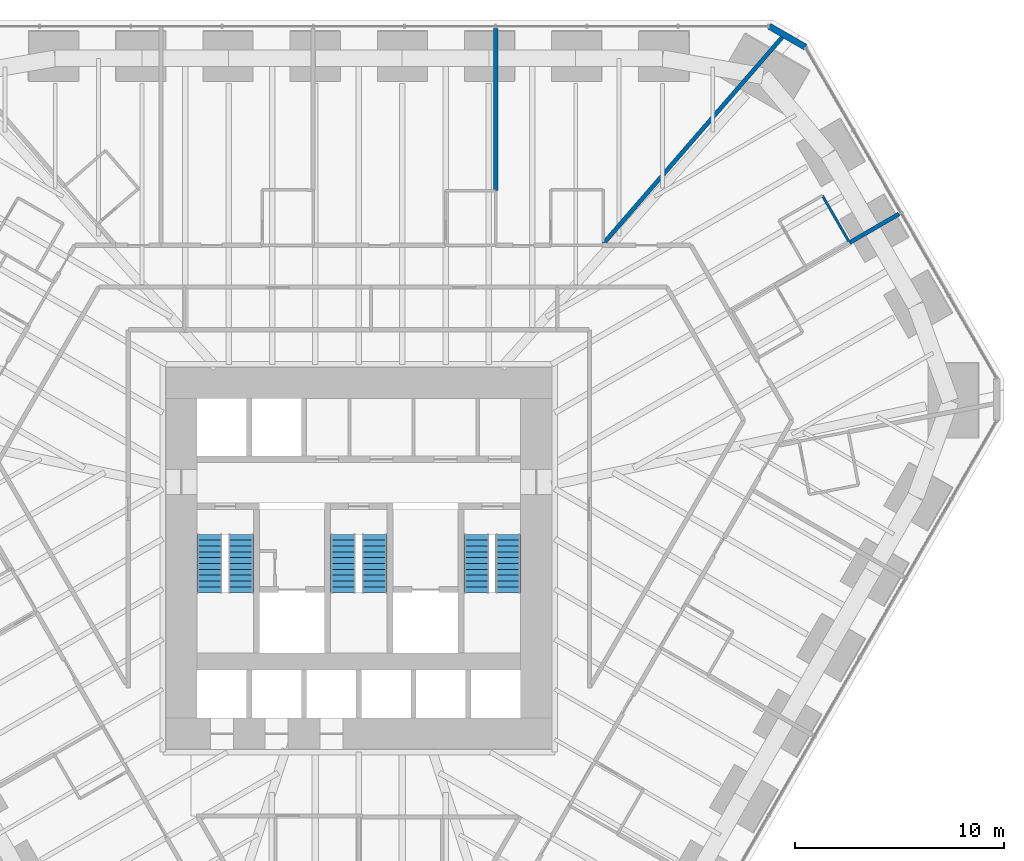
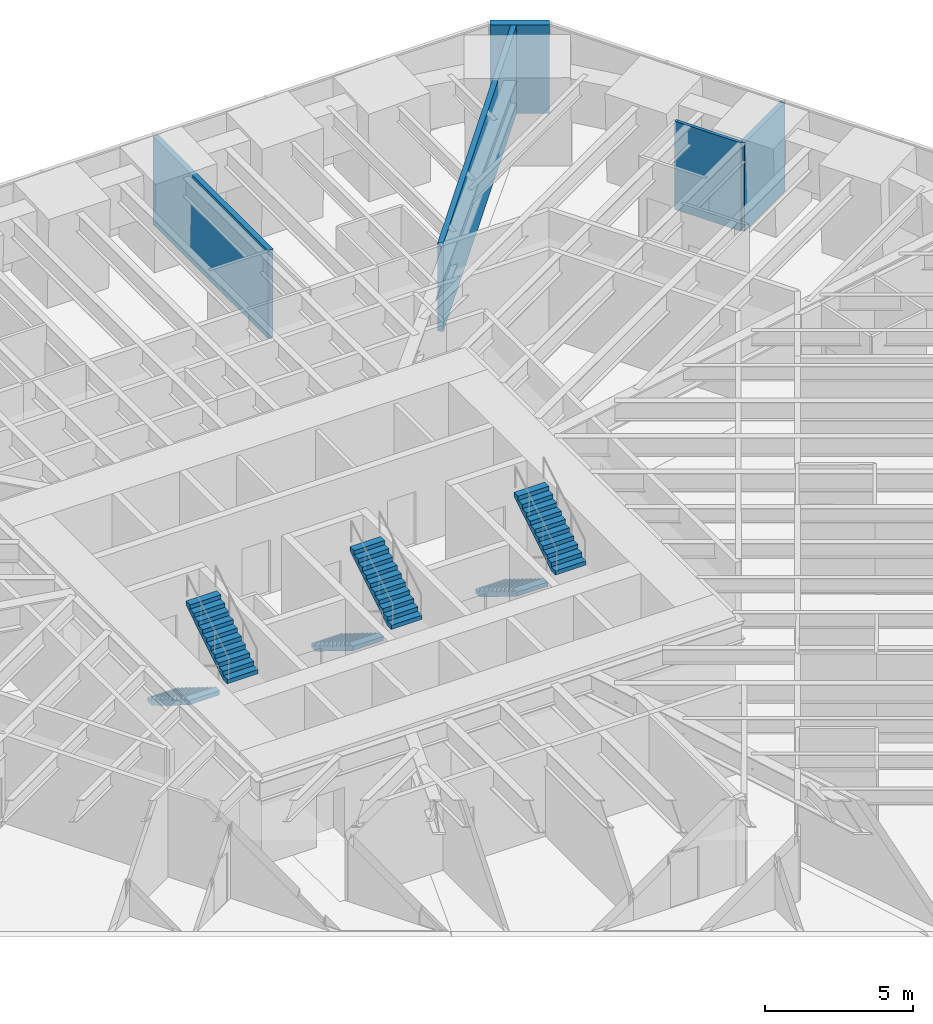
# One storey, part 16 of 17: 6 stair flights, 5 walls, 3 elements without a shape of their own.
"""IFC4 building model written with IfcOpenShell, lengths in metres."""

from ifc_helpers import new_model, si_unit, direction, frame, frame_2d, origin, place, context, subcontext, project, spatial, polyline, rectangle, outline, extrude, material, layer, layer_set, type_object, element, aggregate, save


model = new_model("IFC4")

# Units and contexts
model_context = context("Model", 3, precision=1e-05, world=origin(), true_north=direction((0.0, 1.0)))
body_context = subcontext(model_context, "Body", "Model", "MODEL_VIEW")
ifc_project = project(units=[si_unit("LENGTHUNIT", "METRE"), si_unit("AREAUNIT", "SQUARE_METRE"), si_unit("VOLUMEUNIT", "CUBIC_METRE"), si_unit("PLANEANGLEUNIT", "RADIAN"), si_unit("MASSUNIT", "GRAM", prefix="KILO")], contexts=[model_context])

# Site, building, storey
site_placement = place(None, origin())
site = spatial("IfcSite", under=ifc_project, at=site_placement, CompositionType="ELEMENT")
building_placement = place(site_placement, origin())
building = spatial("IfcBuilding", under=site, at=building_placement, Name="Sandreach Pilgrim Tower", CompositionType="ELEMENT")
storey_placement = place(building_placement, frame((0.0, 0.0, 61.0)))
storey = spatial("IfcBuildingStorey", under=building, at=storey_placement, Name="L14", CompositionType="ELEMENT", Elevation=61.0)

# Walls
ifc_material_1 = material(Name="Moisture-resistant gypsum board on steel studs", Category="steel")
ifc_layer_1 = layer(ifc_material_1, 0.1201171875)
ifc_layer_set_1 = layer_set([ifc_layer_1], Name="Bathroom partition 120")
wall_type_1 = type_object("IfcWallType", Name="Bathroom partition 120", PredefinedType="PARTITIONING", material=ifc_layer_set_1)
wall_1_placement = place(storey_placement, frame((23.52001953125, 13.580078125, 0.0), z_axis=(0.0, 0.0, 1.0), x_axis=(-0.500291685314, 0.865856933682, 0.0)))
element("IfcWall", 1, at=wall_1_placement, inside=storey, type_object=wall_type_1, Name="Bathroom partition L14-162", PredefinedType="PARTITIONING", context=body_context, shape_type="SweptSolid", body=[
    extrude(rectangle(XDim=2.5986328125, YDim=0.1201171875, at=frame_2d((1.29931640625, 0.0))), origin(), (0.0, 0.0, 1.0), 3.639892578125),
])
ifc_material_2 = material(Name="Double steel stud acoustic wall, gypsum board", Category="steel")
ifc_layer_2 = layer(ifc_material_2, 0.199951171875)
ifc_layer_set_2 = layer_set([ifc_layer_2], Name="Party wall 200")
wall_type_2 = type_object("IfcWallType", Name="Party wall 200", PredefinedType="PARTITIONING", material=ifc_layer_set_2)
wall_2_placement = place(storey_placement, frame((6.56005859375, 23.830078125, 0.0), z_axis=(0.0, 0.0, 1.0), x_axis=(0.0, -1.0, 0.0)))
element("IfcWall", 2, at=wall_2_placement, inside=storey, type_object=wall_type_2, Name="Party wall L14-107", PredefinedType="PARTITIONING", context=body_context, shape_type="SweptSolid", body=[
    extrude(rectangle(XDim=7.760009765625, YDim=0.199951171875, at=frame_2d((3.8798828125, 0.0))), origin(), (0.0, 0.0, 1.0), 3.639892578125),
])
wall_3_placement = place(storey_placement, frame((11.72509765625, 13.536865234375, 0.0), z_axis=(0.0, 0.0, 1.0), x_axis=(0.654910189761, 0.755706717813, 0.0)))
element("IfcWall", 3, at=wall_3_placement, inside=storey, type_object=wall_type_2, Name="Party wall L14-131", PredefinedType="PARTITIONING", context=body_context, shape_type="SweptSolid", body=[
    extrude(rectangle(XDim=13.24658203125, YDim=0.199951171875, at=frame_2d((6.623291015625, 0.0))), origin(), (0.0, 0.0, 1.0), 3.639892578125),
])
wall_4_placement = place(storey_placement, frame((23.52001953125, 13.580078125, 0.0), z_axis=(0.0, 0.0, 1.0), x_axis=(0.865432398871, 0.501025710902, 0.0)))
element("IfcWall", 4, at=wall_4_placement, inside=storey, type_object=wall_type_2, Name="Party wall L14-163", PredefinedType="PARTITIONING", context=body_context, shape_type="SweptSolid", body=[
    extrude(rectangle(XDim=2.734130859375, YDim=0.199951171875, at=frame_2d((1.3671875, 0.0))), origin(), (0.0, 0.0, 1.0), 3.639892578125),
])
ifc_material_3 = material(Name="Terracotta rainscreen on concrete", Category="masonry")
ifc_layer_3 = layer(ifc_material_3, 0.300048828125)
ifc_layer_set_3 = layer_set([ifc_layer_3], Name="Terracotta chamfer pier")
wall_type_3 = type_object("IfcWallType", Name="Terracotta chamfer pier", PredefinedType="SOLIDWALL", material=ifc_layer_set_3)
wall_5_placement = place(storey_placement, frame((19.672119140625, 23.94873046875, 0.0), z_axis=(0.0, 0.0, 1.0), x_axis=(0.866010750942, -0.50002537861, 0.0)))
element("IfcWall", 5, at=wall_5_placement, inside=storey, type_object=wall_type_3, Name="Chamfer pier L14 N", PredefinedType="SOLIDWALL", context=body_context, shape_type="SweptSolid", body=[
    extrude(rectangle(XDim=2.0, YDim=0.300048828125, at=frame_2d((1.0, 0.0))), origin(), (0.0, 0.0, 1.0), 3.639892578125),
])

# Stair, stair flights
ifc_material_4 = material(Name="Concrete 8000 psi", Category="concrete")
stair_type = type_object("IfcStairType", Name="Core exit stair", PredefinedType="HALF_TURN_STAIR", material=ifc_material_4)
stair_1_placement = place(storey_placement, origin())
stair_1 = element("IfcStair", 6, at=stair_1_placement, inside=storey, type_object=stair_type, Name="Exit stair ST1 L14", PredefinedType="HALF_TURN_STAIR")
ifc_material_5 = material(Name="Concrete 8000 psi", Category="concrete")
stair_flight_type = type_object("IfcStairFlightType", Name="Core stair flight 1200", PredefinedType="STRAIGHT", material=ifc_material_5)
stair_flight_1_placement = place(storey_placement, frame((-7.14990234375, -0.39990234375, 0.0), z_axis=(0.0, 0.0, 1.0), x_axis=(0.0, -1.0, 0.0)))
stair_flight_1 = element("IfcStairFlight", 7, at=stair_flight_1_placement, type_object=stair_flight_type, Name="ST1 flight 1", NumberOfRisers=11, NumberOfTreads=10, PredefinedType="STRAIGHT", RiserHeight=0.172727273, TreadLength=0.28, context=body_context, shape_type="SweptSolid", body=[
    extrude(outline(polyline([(0.0, 0.0), (0.0, 0.172607421875), (0.280029296875, 0.172607421875), (0.280029296875, 0.345458984375), (0.56005859375, 0.345458984375), (0.56005859375, 0.51806640625), (0.840087890625, 0.51806640625), (0.840087890625, 0.69091796875), (1.1201171875, 0.69091796875), (1.1201171875, 0.863525390625), (1.39990234375, 0.863525390625), (1.39990234375, 1.036376953125), (1.679931640625, 1.036376953125), (1.679931640625, 1.208984375), (1.9599609375, 1.208984375), (1.9599609375, 1.3818359375), (2.239990234375, 1.3818359375), (2.239990234375, 1.554443359375), (2.52001953125, 1.554443359375), (2.52001953125, 1.727294921875), (2.800048828125, 1.727294921875), (2.800048828125, 1.89990234375), (2.800048828125, 1.551025390625), (0.285400390625, 0.0), (0.0, 0.0)])), frame((0.0, 0.60009765625, 0.0), z_axis=(0.0, -1.0, 0.0), x_axis=(1.0, 0.0, 0.0)), (0.0, 0.0, 1.0), 1.199951171875),
])
stair_flight_2_placement = place(storey_placement, frame((-5.64990234375, -3.199951171875, 1.89990234375), z_axis=(0.0, 0.0, 1.0), x_axis=(0.0, 1.0, 0.0)))
stair_flight_2 = element("IfcStairFlight", 8, at=stair_flight_2_placement, type_object=stair_flight_type, Name="ST1 flight 2", NumberOfRisers=11, NumberOfTreads=10, PredefinedType="STRAIGHT", RiserHeight=0.172727273, TreadLength=0.28, context=body_context, shape_type="SweptSolid", body=[
    extrude(outline(polyline([(0.0, 0.0), (0.0, 0.172607421875), (0.280029296875, 0.172607421875), (0.280029296875, 0.345458984375), (0.56005859375, 0.345458984375), (0.56005859375, 0.51806640625), (0.840087890625, 0.51806640625), (0.840087890625, 0.69091796875), (1.1201171875, 0.69091796875), (1.1201171875, 0.863525390625), (1.39990234375, 0.863525390625), (1.39990234375, 1.036376953125), (1.679931640625, 1.036376953125), (1.679931640625, 1.208984375), (1.9599609375, 1.208984375), (1.9599609375, 1.3818359375), (2.239990234375, 1.3818359375), (2.239990234375, 1.554443359375), (2.52001953125, 1.554443359375), (2.52001953125, 1.727294921875), (2.800048828125, 1.727294921875), (2.800048828125, 1.89990234375), (2.800048828125, 1.551025390625), (0.285400390625, 0.0), (0.0, 0.0)])), frame((0.0, 0.60009765625, 0.0), z_axis=(0.0, -1.0, 0.0), x_axis=(1.0, 0.0, 0.0)), (0.0, 0.0, 1.0), 1.199951171875),
])
aggregate(stair_1, [stair_flight_1, stair_flight_2])

stair_2_placement = place(storey_placement, origin())
stair_2 = element("IfcStair", 9, at=stair_2_placement, inside=storey, type_object=stair_type, Name="Exit stair ST3 L14", PredefinedType="HALF_TURN_STAIR")
stair_flight_3_placement = place(storey_placement, frame((-0.75, -0.39990234375, 0.0), z_axis=(0.0, 0.0, 1.0), x_axis=(0.0, -1.0, 0.0)))
stair_flight_3 = element("IfcStairFlight", 10, at=stair_flight_3_placement, type_object=stair_flight_type, Name="ST3 flight 1", NumberOfRisers=11, NumberOfTreads=10, PredefinedType="STRAIGHT", RiserHeight=0.172727273, TreadLength=0.28, context=body_context, shape_type="SweptSolid", body=[
    extrude(outline(polyline([(0.0, 0.0), (0.0, 0.172607421875), (0.280029296875, 0.172607421875), (0.280029296875, 0.345458984375), (0.56005859375, 0.345458984375), (0.56005859375, 0.51806640625), (0.840087890625, 0.51806640625), (0.840087890625, 0.69091796875), (1.1201171875, 0.69091796875), (1.1201171875, 0.863525390625), (1.39990234375, 0.863525390625), (1.39990234375, 1.036376953125), (1.679931640625, 1.036376953125), (1.679931640625, 1.208984375), (1.9599609375, 1.208984375), (1.9599609375, 1.3818359375), (2.239990234375, 1.3818359375), (2.239990234375, 1.554443359375), (2.52001953125, 1.554443359375), (2.52001953125, 1.727294921875), (2.800048828125, 1.727294921875), (2.800048828125, 1.89990234375), (2.800048828125, 1.551025390625), (0.285400390625, 0.0), (0.0, 0.0)])), frame((0.0, 0.60009765625, 0.0), z_axis=(0.0, -1.0, 0.0), x_axis=(1.0, 0.0, 0.0)), (0.0, 0.0, 1.0), 1.199951171875),
])
stair_flight_4_placement = place(storey_placement, frame((0.75, -3.199951171875, 1.89990234375), z_axis=(0.0, 0.0, 1.0), x_axis=(0.0, 1.0, 0.0)))
stair_flight_4 = element("IfcStairFlight", 11, at=stair_flight_4_placement, type_object=stair_flight_type, Name="ST3 flight 2", NumberOfRisers=11, NumberOfTreads=10, PredefinedType="STRAIGHT", RiserHeight=0.172727273, TreadLength=0.28, context=body_context, shape_type="SweptSolid", body=[
    extrude(outline(polyline([(0.0, 0.0), (0.0, 0.172607421875), (0.280029296875, 0.172607421875), (0.280029296875, 0.345458984375), (0.56005859375, 0.345458984375), (0.56005859375, 0.51806640625), (0.840087890625, 0.51806640625), (0.840087890625, 0.69091796875), (1.1201171875, 0.69091796875), (1.1201171875, 0.863525390625), (1.39990234375, 0.863525390625), (1.39990234375, 1.036376953125), (1.679931640625, 1.036376953125), (1.679931640625, 1.208984375), (1.9599609375, 1.208984375), (1.9599609375, 1.3818359375), (2.239990234375, 1.3818359375), (2.239990234375, 1.554443359375), (2.52001953125, 1.554443359375), (2.52001953125, 1.727294921875), (2.800048828125, 1.727294921875), (2.800048828125, 1.89990234375), (2.800048828125, 1.551025390625), (0.285400390625, 0.0), (0.0, 0.0)])), frame((0.0, 0.60009765625, 0.0), z_axis=(0.0, -1.0, 0.0), x_axis=(1.0, 0.0, 0.0)), (0.0, 0.0, 1.0), 1.199951171875),
])
aggregate(stair_2, [stair_flight_3, stair_flight_4])

stair_3_placement = place(storey_placement, origin())
stair_3 = element("IfcStair", 12, at=stair_3_placement, inside=storey, type_object=stair_type, Name="Exit stair ST2 L14", PredefinedType="HALF_TURN_STAIR")
stair_flight_5_placement = place(storey_placement, frame((5.64990234375, -0.39990234375, 0.0), z_axis=(0.0, 0.0, 1.0), x_axis=(0.0, -1.0, 0.0)))
stair_flight_5 = element("IfcStairFlight", 13, at=stair_flight_5_placement, type_object=stair_flight_type, Name="ST2 flight 1", NumberOfRisers=11, NumberOfTreads=10, PredefinedType="STRAIGHT", RiserHeight=0.172727273, TreadLength=0.28, context=body_context, shape_type="SweptSolid", body=[
    extrude(outline(polyline([(0.0, 0.0), (0.0, 0.172607421875), (0.280029296875, 0.172607421875), (0.280029296875, 0.345458984375), (0.56005859375, 0.345458984375), (0.56005859375, 0.51806640625), (0.840087890625, 0.51806640625), (0.840087890625, 0.69091796875), (1.1201171875, 0.69091796875), (1.1201171875, 0.863525390625), (1.39990234375, 0.863525390625), (1.39990234375, 1.036376953125), (1.679931640625, 1.036376953125), (1.679931640625, 1.208984375), (1.9599609375, 1.208984375), (1.9599609375, 1.3818359375), (2.239990234375, 1.3818359375), (2.239990234375, 1.554443359375), (2.52001953125, 1.554443359375), (2.52001953125, 1.727294921875), (2.800048828125, 1.727294921875), (2.800048828125, 1.89990234375), (2.800048828125, 1.551025390625), (0.285400390625, 0.0), (0.0, 0.0)])), frame((0.0, 0.60009765625, 0.0), z_axis=(0.0, -1.0, 0.0), x_axis=(1.0, 0.0, 0.0)), (0.0, 0.0, 1.0), 1.199951171875),
])
stair_flight_6_placement = place(storey_placement, frame((7.14990234375, -3.199951171875, 1.89990234375), z_axis=(0.0, 0.0, 1.0), x_axis=(0.0, 1.0, 0.0)))
stair_flight_6 = element("IfcStairFlight", 14, at=stair_flight_6_placement, type_object=stair_flight_type, Name="ST2 flight 2", NumberOfRisers=11, NumberOfTreads=10, PredefinedType="STRAIGHT", RiserHeight=0.172727273, TreadLength=0.28, context=body_context, shape_type="SweptSolid", body=[
    extrude(outline(polyline([(0.0, 0.0), (0.0, 0.172607421875), (0.280029296875, 0.172607421875), (0.280029296875, 0.345458984375), (0.56005859375, 0.345458984375), (0.56005859375, 0.51806640625), (0.840087890625, 0.51806640625), (0.840087890625, 0.69091796875), (1.1201171875, 0.69091796875), (1.1201171875, 0.863525390625), (1.39990234375, 0.863525390625), (1.39990234375, 1.036376953125), (1.679931640625, 1.036376953125), (1.679931640625, 1.208984375), (1.9599609375, 1.208984375), (1.9599609375, 1.3818359375), (2.239990234375, 1.3818359375), (2.239990234375, 1.554443359375), (2.52001953125, 1.554443359375), (2.52001953125, 1.727294921875), (2.800048828125, 1.727294921875), (2.800048828125, 1.89990234375), (2.800048828125, 1.551025390625), (0.285400390625, 0.0), (0.0, 0.0)])), frame((0.0, 0.60009765625, 0.0), z_axis=(0.0, -1.0, 0.0), x_axis=(1.0, 0.0, 0.0)), (0.0, 0.0, 1.0), 1.199951171875),
])
aggregate(stair_3, [stair_flight_5, stair_flight_6])

save(model, "model.ifc")
